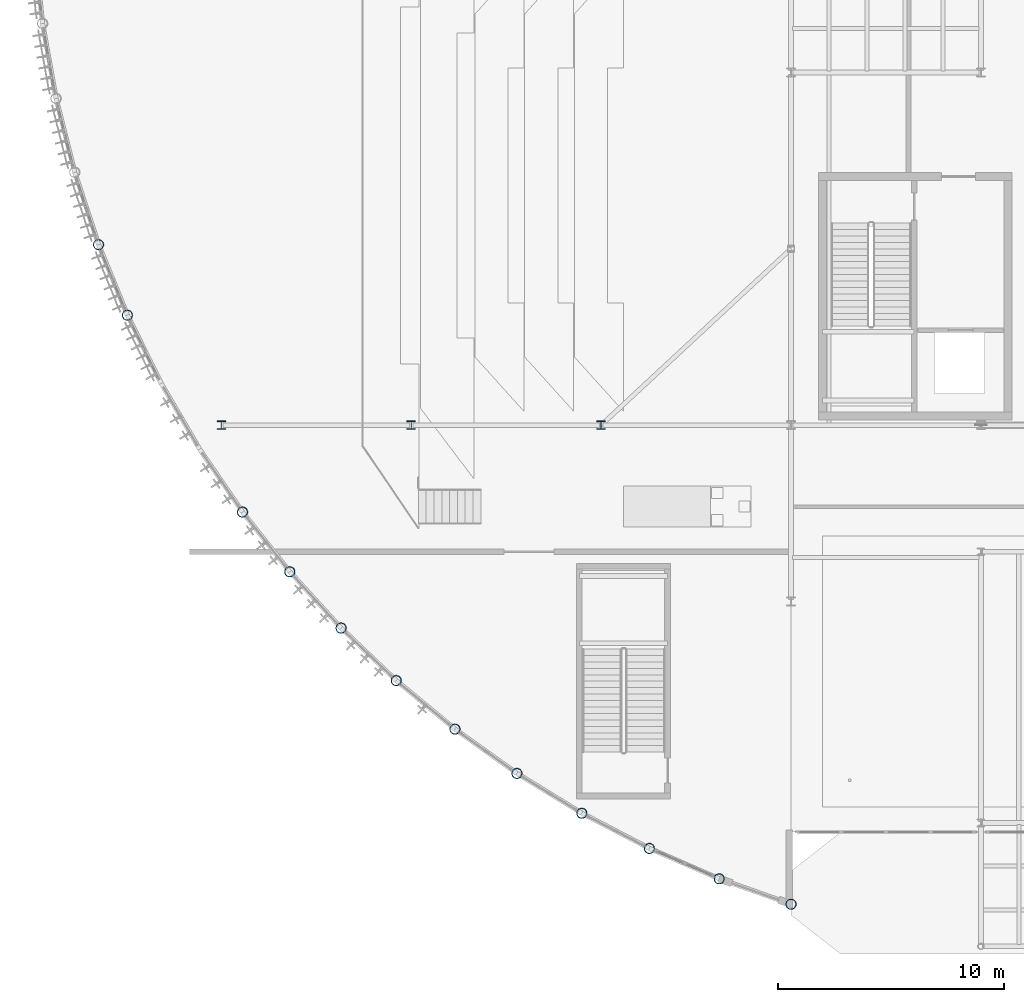
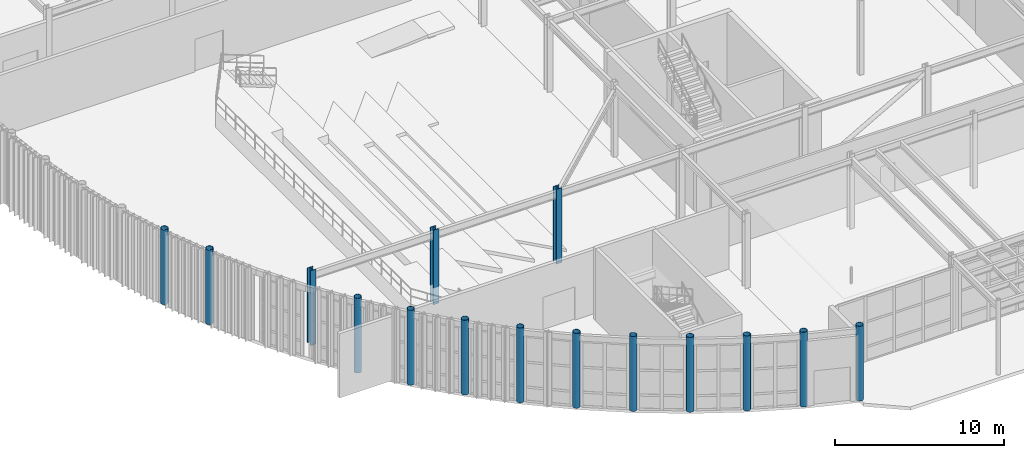
# One storey, part 2 of 87: 15 columns.
"""IFC4 building model written with IfcOpenShell, lengths in metres."""

import ifcopenshell
import ifcopenshell.guid

model = None  # the IFC model being written
_history = None  # IfcOwnerHistory: only IFC2X3 demands one
_inside = {}  # id of a spatial element -> (the spatial element, [elements in it])
_under = {}  # id of a project, library or spatial element -> (it, [spatial elements below it])
_declared = {}  # id of a project -> (the project, [libraries it declares])
_typed = {}  # id of a type object -> (the type object, [elements of that type])
_made_of = {}  # id of a material, layer set ... -> (it, [elements and type objects made of it])


def new_model(schema):
    """Start an empty IFC model of exactly this schema.

    Asked for "IFC4X3", IfcOpenShell would pick the latest addendum, in which some entities
    have other attributes; the version numbers below select the first issue.
    IFC2X3 requires an IfcOwnerHistory on every rooted entity: one is made here for all.
    """
    global model, _history
    if schema == "IFC4X3":
        model = ifcopenshell.file(schema_version=(4, 3, 0, 0))
    else:
        model = ifcopenshell.file(schema=schema)
    _inside.clear()
    _under.clear()
    _declared.clear()
    _typed.clear()
    _made_of.clear()
    _history = None
    if model.schema == "IFC2X3":
        org = make("IfcOrganization", Name="unknown")
        user = make(
            "IfcPersonAndOrganization",
            ThePerson=make("IfcPerson", FamilyName="unknown"),
            TheOrganization=org,
        )
        app = make(
            "IfcApplication",
            ApplicationDeveloper=org,
            Version="unknown",
            ApplicationFullName="unknown",
            ApplicationIdentifier="unknown",
        )
        _history = make(
            "IfcOwnerHistory",
            OwningUser=user,
            OwningApplication=app,
            ChangeAction="ADDED",
            CreationDate=0,
        )
    return model


def make(cls, **values):
    """One entity of the class cls with the attributes given. An attribute that is None is left unset."""
    return model.create_entity(
        cls, **{name: value for name, value in values.items() if value is not None}
    )


def rooted(cls, **values):
    """An entity with a GlobalId (a new one), such as an element, a storey or a relation."""
    return make(cls, GlobalId=ifcopenshell.guid.new(), OwnerHistory=_history, **values)


def si_unit(unit_type, name, prefix=None):
    """IfcSIUnit, for example si_unit("LENGTHUNIT", "METRE", prefix="MILLI")."""
    return make("IfcSIUnit", UnitType=unit_type, Prefix=prefix, Name=name)


def assignment(units):
    """IfcUnitAssignment: the units of a project."""
    return None if units is None else make("IfcUnitAssignment", Units=units)


def point(xyz):
    """IfcCartesianPoint."""
    return None if xyz is None else make("IfcCartesianPoint", Coordinates=xyz)


def direction(xyz):
    """IfcDirection."""
    return None if xyz is None else make("IfcDirection", DirectionRatios=xyz)


def frame(location, z_axis=None, x_axis=None):
    """IfcAxis2Placement3D, a coordinate frame: its origin and axes. An axis left out is left unset."""
    return make(
        "IfcAxis2Placement3D",
        Location=point(location),
        Axis=direction(z_axis),
        RefDirection=direction(x_axis),
    )


def frame_2d(location, x_axis=None):
    """IfcAxis2Placement2D, a coordinate frame in the plane: its origin and x axis."""
    return make(
        "IfcAxis2Placement2D", Location=point(location), RefDirection=direction(x_axis)
    )


def origin():
    """The frame at (0, 0, 0) with its axes left unset."""
    return frame((0.0, 0.0, 0.0))


def origin_2d():
    """The frame at (0, 0) in the plane with its x axis left unset."""
    return frame_2d((0.0, 0.0))


def place(relative_to, where):
    """IfcLocalPlacement: puts the frame where relative to a parent placement (None: the world)."""
    return make(
        "IfcLocalPlacement", PlacementRelTo=relative_to, RelativePlacement=where
    )


def context(
    kind, dimensions, precision=None, world=None, true_north=None, identifier=None
):
    """IfcGeometricRepresentationContext, for example the 3D "Model" context."""
    return make(
        "IfcGeometricRepresentationContext",
        ContextIdentifier=identifier,
        ContextType=kind,
        CoordinateSpaceDimension=dimensions,
        Precision=precision,
        WorldCoordinateSystem=world,
        TrueNorth=true_north,
    )


def subcontext(parent, identifier, kind, view, scale=None):
    """IfcGeometricRepresentationSubContext, for example "Body" below "Model"."""
    return make(
        "IfcGeometricRepresentationSubContext",
        ContextIdentifier=identifier,
        ContextType=kind,
        ParentContext=parent,
        TargetScale=scale,
        TargetView=view,
    )


def project(units=None, contexts=None):
    """IfcProject with its units and contexts."""
    return rooted(
        "IfcProject",
        Name="project",
        RepresentationContexts=contexts,
        UnitsInContext=assignment(units),
    )


def spatial(cls, under=None, at=None, **own):
    """A site, building, storey or space (cls), placed at a placement, below another one or the project."""
    s = rooted(cls, ObjectPlacement=at, **own)
    if under is not None:
        _under.setdefault(under.id(), (under, []))[1].append(s)
    return s


def profile(cls, at=None, kind="AREA", **sizes):
    """A parametric profile (cls). Its sizes go by their IFC names, for example OverallWidth=200.0."""
    return make(cls, ProfileType=kind, Position=at, **sizes)


def hollow_circle(**sizes):
    """IfcCircleHollowProfileDef."""
    return profile("IfcCircleHollowProfileDef", **sizes)


def i_section(**sizes):
    """IfcIShapeProfileDef."""
    return profile("IfcIShapeProfileDef", **sizes)


def extrude(swept, where, along, depth):
    """IfcExtrudedAreaSolid: the profile swept, set in the frame where, extruded along a direction by depth."""
    return make(
        "IfcExtrudedAreaSolid",
        SweptArea=swept,
        Position=where,
        ExtrudedDirection=direction(along),
        Depth=depth,
    )


def shape(context_of_items, identifier, shape_type, items):
    """IfcShapeRepresentation: the items that make up one representation, for example the "Body"."""
    return make(
        "IfcShapeRepresentation",
        ContextOfItems=context_of_items,
        RepresentationIdentifier=identifier,
        RepresentationType=shape_type,
        Items=items,
    )


def material(Name=None, Category=None):
    """IfcMaterial."""
    return make("IfcMaterial", Name=Name, Category=Category)


def material_profile(
    of_material, cross_section, Name=None, Category=None, Priority=None
):
    """IfcMaterialProfile: a cross section and its material."""
    return make(
        "IfcMaterialProfile",
        Name=Name,
        Material=of_material,
        Profile=cross_section,
        Priority=Priority,
        Category=Category,
    )


def profile_set(profiles, Name=None, composite=None):
    """IfcMaterialProfileSet."""
    return make(
        "IfcMaterialProfileSet",
        Name=Name,
        MaterialProfiles=profiles,
        CompositeProfile=composite,
    )


def made_of(thing, what):
    """Note that an element or type object is made of a material, layer set ...; save() writes the relation."""
    if what is not None:
        _made_of.setdefault(what.id(), (what, []))[1].append(thing)
    return thing


def type_object(cls, material=None, **own):
    """A type object (cls), such as IfcWallType, which elements share."""
    return made_of(rooted(cls, **own), material)


def element(
    cls,
    number,
    at=None,
    inside=None,
    cuts=None,
    type_object=None,
    material=None,
    context=None,
    identifier="Body",
    shape_type=None,
    held_by="IfcProductDefinitionShape",
    body=None,
    shapes=None,
    **own,
):
    """One element of the class cls, such as IfcWall. Its Tag is "e" and its number.

    at: its placement. inside: the storey or other place that contains it. cuts: it is an
    opening in that element (IfcRelVoidsElement). A single representation is given by context,
    identifier, shape_type and body (its items); several are given by shapes. held_by: the class
    of the entity that holds the representations. save() writes the other relations.
    """
    e = rooted(cls, Tag="e%d" % number, ObjectPlacement=at, **own)
    if body is not None:
        shapes = [shape(context, identifier, shape_type, body)]
    if shapes is not None:
        e.Representation = make(held_by, Representations=shapes)
    if inside is not None:
        _inside.setdefault(inside.id(), (inside, []))[1].append(e)
    if cuts is not None:
        rooted(
            "IfcRelVoidsElement", RelatingBuildingElement=cuts, RelatedOpeningElement=e
        )
    if type_object is not None:
        _typed.setdefault(type_object.id(), (type_object, []))[1].append(e)
    return made_of(e, material)


def aggregate(whole, parts):
    """IfcRelAggregates: a whole, such as a stair, and the parts it consists of."""
    return rooted("IfcRelAggregates", RelatingObject=whole, RelatedObjects=parts)


def save(model, path):
    """Write the relations noted so far, then the file.

    IfcRelAggregates (storeys below a building ...), IfcRelContainedInSpatialStructure (elements
    in a storey), IfcRelDefinesByType, IfcRelAssociatesMaterial and IfcRelDeclares: one each for
    every whole, place, type object, material and project.
    """
    for whole, parts in _under.values():
        aggregate(whole, parts)
    for where, things in _inside.values():
        rooted(
            "IfcRelContainedInSpatialStructure",
            RelatedElements=things,
            RelatingStructure=where,
        )
    for kind, things in _typed.values():
        rooted("IfcRelDefinesByType", RelatedObjects=things, RelatingType=kind)
    for what, things in _made_of.values():
        rooted("IfcRelAssociatesMaterial", RelatedObjects=things, RelatingMaterial=what)
    for by, libraries in _declared.values():
        rooted("IfcRelDeclares", RelatingContext=by, RelatedDefinitions=libraries)
    model.write(path)


model = new_model("IFC4")

# Units and contexts
model_context = context("Model", 3, precision=1e-05, world=origin(), true_north=direction((0.0, 1.0)))
body_context = subcontext(model_context, "Body", "Model", "MODEL_VIEW")
ifc_project = project(units=[si_unit("LENGTHUNIT", "METRE"), si_unit("AREAUNIT", "SQUARE_METRE"), si_unit("VOLUMEUNIT", "CUBIC_METRE"), si_unit("PLANEANGLEUNIT", "RADIAN"), si_unit("MASSUNIT", "GRAM", prefix="KILO")], contexts=[model_context])

# Site, building, storey
site_placement = place(None, origin())
site = spatial("IfcSite", under=ifc_project, at=site_placement, CompositionType="ELEMENT")
building_placement = place(site_placement, origin())
building = spatial("IfcBuilding", under=site, at=building_placement, Name="Selat Folded Stagehouse", CompositionType="ELEMENT")
storey_placement = place(building_placement, origin())
storey = spatial("IfcBuildingStorey", under=building, at=storey_placement, Name="L00", CompositionType="ELEMENT", Elevation=0.0)

# Columns
ifc_material = material(Name="Steel S355", Category="steel")
ifc_material_profile_1 = material_profile(ifc_material, hollow_circle(Radius=0.228515625, WallThickness=0.02001953125, at=origin_2d()), Name="CHS 457.0x20.0")
ifc_profile_set_1 = profile_set([ifc_material_profile_1], Name="Steel S355")
column_type_1 = type_object("IfcColumnType", Name="COL-CHS-457x20", PredefinedType="COLUMN", material=ifc_profile_set_1)
for number, where, z_axis, x_axis, name in (
    (1, (2.967529296875, 31.38427734375, 0.0), (0.0, 0.0, 1.0), (1.0, 0.0, 0.0), "L00 column STK-DRM-07"),
    (2, (4.243896484375, 28.266357421875, 0.0), (0.0, 0.0, 1.0), (1.0, 0.0, 0.0), "L00 column STK-DRM-08"),
    (3, (9.336181640625, 19.55517578125, 0.0), (0.0, 0.0, 1.0), (1.0, 0.0, 0.0), "L00 column STK-DRM-11"),
    (4, (11.4267578125, 16.9130859375, 0.0), (0.0, 0.0, 1.0), (1.0, 0.0, 0.0), "L00 column STK-DRM-12"),
    (5, (13.697509765625, 14.42431640625, 0.0), (0.0, 0.0, 1.0), (1.0, 0.0, 0.0), "L00 column STK-DRM-13"),
    (6, (16.136962890625, 12.100830078125, 0.0), (0.0, 0.0, 1.0), (1.0, 0.0, 0.0), "L00 column STK-DRM-14"),
    (7, (18.733642578125, 9.954345703125, 0.0), (0.0, 0.0, 1.0), (1.0, 0.0, 0.0), "L00 column STK-DRM-15"),
    (8, (21.474365234375, 7.9951171875, 0.0), (0.0, 0.0, 1.0), (1.0, 0.0, 0.0), "L00 column STK-DRM-16"),
    (9, (24.345703125, 6.23291015625, 0.0), (0.0, 0.0, 1.0), (1.0, 0.0, 0.0), "L00 column STK-DRM-17"),
    (10, (27.333740234375, 4.6767578125, 0.0), (0.0, 0.0, 1.0), (1.0, 0.0, 0.0), "L00 column STK-DRM-18"),
    (11, (30.423583984375, 3.333740234375, 0.0), (0.0, 0.0, 1.0), (1.0, 0.0, 0.0), "L00 column STK-DRM-19"),
    (12, (33.60009765625, 2.2109375, 0.0), (0.0, 0.0, 1.0), (1.0, 0.0, 0.0), "L00 column STK-DRM-20"),
):
    element("IfcColumn", number, at=place(storey_placement, frame(where, z_axis=z_axis, x_axis=x_axis)), inside=storey, type_object=column_type_1, Name=name, PredefinedType="COLUMN", context=body_context, shape_type="SweptSolid", body=[
        extrude(hollow_circle(Radius=0.228515625, WallThickness=0.02001953125, at=origin_2d()), origin(), (0.0, 0.0, 1.0), 5.39990234375),
    ])
ifc_material_profile_2 = material_profile(ifc_material, i_section(OverallWidth=0.374755859375, OverallDepth=0.37451171875, WebThickness=0.0166015625, FlangeThickness=0.027099609375, FilletRadius=0.01513671875, at=origin_2d()), Name="UKC 356x368x202")
ifc_profile_set_2 = profile_set([ifc_material_profile_2], Name="Steel S355")
column_type_2 = type_object("IfcColumnType", Name="COL-UKC-356x368x202", PredefinedType="COLUMN", material=ifc_profile_set_2)
for number, where, z_axis, x_axis, name in (
    (13, (8.39990234375, 23.39990234375, 0.0), (0.0, 0.0, 1.0), (1.0, 0.0, 0.0), "L00 column STK-V2-00"),
    (14, (16.800048828125, 23.39990234375, 0.0), (0.0, 0.0, 1.0), (1.0, 0.0, 0.0), "L00 column STK-V2-01"),
    (15, (25.199951171875, 23.39990234375, 0.0), (0.0, 0.0, 1.0), (1.0, 0.0, 0.0), "L00 column STK-V2-02"),
):
    element("IfcColumn", number, at=place(storey_placement, frame(where, z_axis=z_axis, x_axis=x_axis)), inside=storey, type_object=column_type_2, Name=name, PredefinedType="COLUMN", context=body_context, shape_type="SweptSolid", body=[
        extrude(i_section(OverallWidth=0.374755859375, OverallDepth=0.37451171875, WebThickness=0.0166015625, FlangeThickness=0.027099609375, FilletRadius=0.01513671875, at=origin_2d()), origin(), (0.0, 0.0, 1.0), 5.39990234375),
    ])

save(model, "model.ifc")
